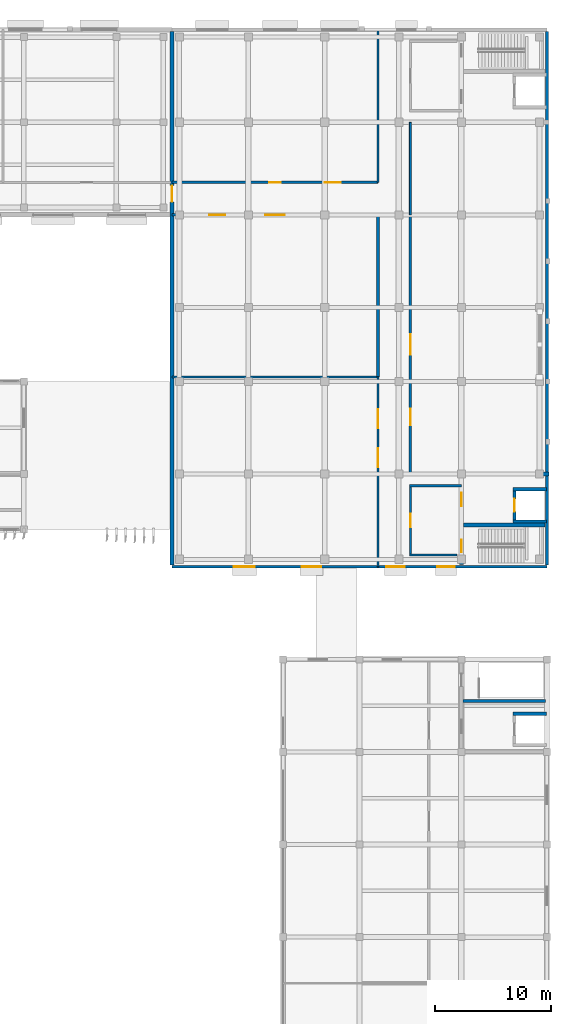
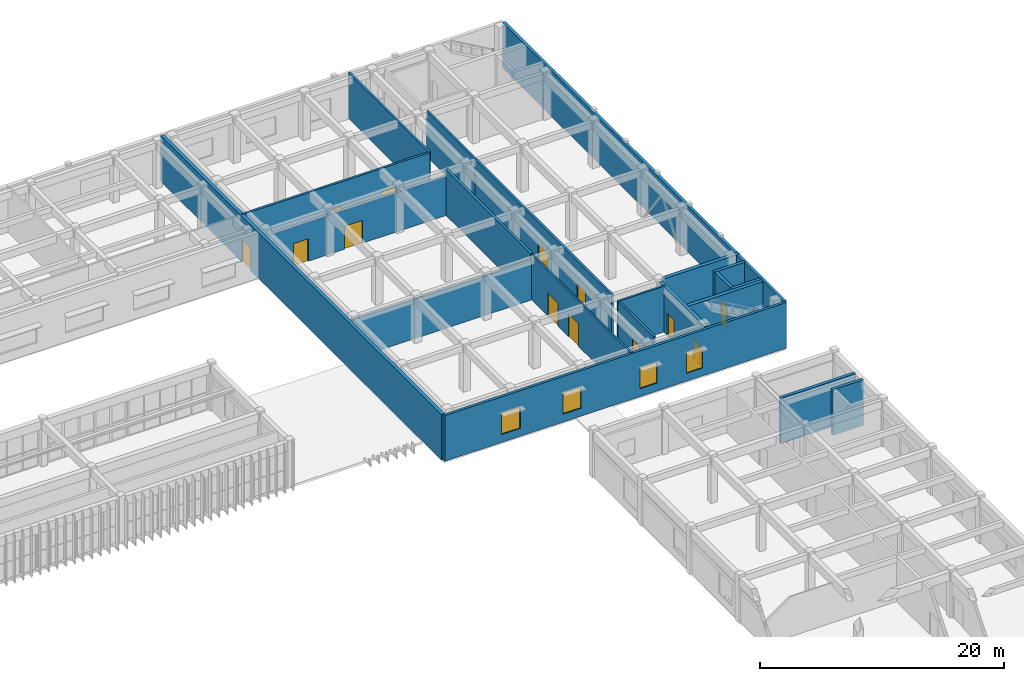
# One storey, part 57 of 76: 22 walls, 13 doors, 4 windows, 17 openings.
"""IFC4 building model written with IfcOpenShell, lengths in metres."""

from ifc_helpers import new_model, si_unit, direction, frame, frame_2d, origin, place, context, subcontext, project, spatial, rectangle, extrude, material, layer, layer_set, type_object, element, fill, save


model = new_model("IFC4")

# Units and contexts
model_context = context("Model", 3, precision=1e-05, world=origin(), true_north=direction((0.0, 1.0)))
body_context = subcontext(model_context, "Body", "Model", "MODEL_VIEW")
ifc_project = project(units=[si_unit("LENGTHUNIT", "METRE"), si_unit("AREAUNIT", "SQUARE_METRE"), si_unit("VOLUMEUNIT", "CUBIC_METRE"), si_unit("PLANEANGLEUNIT", "RADIAN"), si_unit("MASSUNIT", "GRAM", prefix="KILO")], contexts=[model_context])

# Site, building, storey
site_placement = place(None, origin())
site = spatial("IfcSite", under=ifc_project, at=site_placement, CompositionType="ELEMENT")
building_placement = place(site_placement, origin())
building = spatial("IfcBuilding", under=site, at=building_placement, Name="Cinchona Park Media Centre", CompositionType="ELEMENT")
storey_placement = place(building_placement, frame((0.0, 0.0, 15.60009765625)))
storey = spatial("IfcBuildingStorey", under=building, at=storey_placement, Name="L03", CompositionType="ELEMENT", Elevation=15.60009765625)

# Wall, openings, doors
ifc_material_1 = material(Name="Acoustic Double-Stud Gypsum Partition", Category="gypsum")
ifc_layer_1 = layer(ifc_material_1, 0.2099609375)
ifc_layer_set_1 = layer_set([ifc_layer_1], Name="Acoustic Double-Stud Gypsum Partition")
wall_type_1 = type_object("IfcWallType", Name="WALL-W-AC210", PredefinedType="PARTITIONING", material=ifc_layer_set_1)
wall_1_placement = place(storey_placement, frame((139.60009765625, 104.800048828125, 0.0), z_axis=(0.0, 0.0, 1.0), x_axis=(1.0, 0.0, 0.0)))
wall_1 = element("IfcWall", 1, at=wall_1_placement, inside=storey, type_object=wall_type_1, Name="Interior Wall W-AC210 L03", PredefinedType="PARTITIONING", context=body_context, shape_type="SweptSolid", body=[
    extrude(rectangle(XDim=17.7998046875, YDim=0.2099609375, at=frame_2d((8.89990234375, 0.0))), origin(), (0.0, 0.0, 1.0), 4.579833984375),
])
opening_1_placement = place(wall_1_placement, frame((8.389892578125, 0.0, 0.0)))
opening_1 = element("IfcOpeningElement", 2, at=opening_1_placement, cuts=wall_1, Name="Opening D329", PredefinedType="OPENING", context=body_context, shape_type="SweptSolid", body=[
    extrude(rectangle(XDim=1.02001953125, YDim=2.10009765625, at=frame_2d((0.510009765625, 1.050048828125))), frame((0.0, 0.114990234375, 0.0), z_axis=(0.0, -1.0, 0.0), x_axis=(1.0, 0.0, 0.0)), (0.0, 0.0, 1.0), 0.22998046875),
])
opening_2_placement = place(wall_1_placement, frame((13.18408203125, 0.0, 0.0)))
opening_2 = element("IfcOpeningElement", 3, at=opening_2_placement, cuts=wall_1, Name="Opening D330", PredefinedType="OPENING", context=body_context, shape_type="SweptSolid", body=[
    extrude(rectangle(XDim=1.39990234375, YDim=2.25, at=frame_2d((0.699951171875, 1.125))), frame((0.0, 0.114990234375, 0.0), z_axis=(0.0, -1.0, 0.0), x_axis=(1.0, 0.0, 0.0)), (0.0, 0.0, 1.0), 0.22998046875),
])
ifc_material_2 = material(Name="Acoustic Double-Seal Steel Door", Category="steel")
door_type_1 = type_object("IfcDoorType", Name="DOOR-DT-AC", OperationType="NOTDEFINED", PredefinedType="DOOR", material=ifc_material_2)
door_1_placement = place(opening_2_placement, origin())
door_1 = element("IfcDoor", 4, at=door_1_placement, inside=storey, type_object=door_type_1, Name="Interior Door D330", OperationType="SINGLE_SWING_RIGHT", OverallHeight=2.25, OverallWidth=1.39990234375, PredefinedType="DOOR", context=body_context, shape_type="SweptSolid", body=[
    extrude(rectangle(XDim=1.39990234375, YDim=2.25, at=frame_2d((0.699951171875, 1.125))), frame((0.0, 0.02490234375, 0.0), z_axis=(0.0, -1.0, 0.0), x_axis=(1.0, 0.0, 0.0)), (0.0, 0.0, 1.0), 0.050048828125),
])
fill(opening_2, door_1)
ifc_material_3 = material(Name="Solid-Core Timber Acoustic Door", Category="wood")
door_type_2 = type_object("IfcDoorType", Name="DOOR-DT05", OperationType="NOTDEFINED", PredefinedType="DOOR", material=ifc_material_3)
door_2_placement = place(opening_1_placement, origin())
door_2 = element("IfcDoor", 5, at=door_2_placement, inside=storey, type_object=door_type_2, Name="Interior Door D329", OperationType="SINGLE_SWING_LEFT", OverallHeight=2.10009765625, OverallWidth=1.02001953125, PredefinedType="DOOR", context=body_context, shape_type="SweptSolid", body=[
    extrude(rectangle(XDim=1.02001953125, YDim=2.10009765625, at=frame_2d((0.510009765625, 1.050048828125))), frame((0.0, 0.02490234375, 0.0), z_axis=(0.0, -1.0, 0.0), x_axis=(1.0, 0.0, 0.0)), (0.0, 0.0, 1.0), 0.050048828125),
])
fill(opening_1, door_2)

wall_2_placement = place(storey_placement, frame((160.199951171875, 102.0, 0.0), z_axis=(0.0, 0.0, 1.0), x_axis=(0.0, -1.0, 0.0)))
wall_2 = element("IfcWall", 6, at=wall_2_placement, inside=storey, type_object=wall_type_1, Name="Interior Wall W-AC210 L03", PredefinedType="PARTITIONING", context=body_context, shape_type="SweptSolid", body=[
    extrude(rectangle(XDim=22.39990234375, YDim=0.2099609375, at=frame_2d((11.199951171875, 0.0))), origin(), (0.0, 0.0, 1.0), 4.579833984375),
])
opening_3_placement = place(wall_2_placement, frame((10.324951171875, 0.0, 0.0)))
opening_3 = element("IfcOpeningElement", 7, at=opening_3_placement, cuts=wall_2, Name="Opening D331", PredefinedType="OPENING", context=body_context, shape_type="SweptSolid", body=[
    extrude(rectangle(XDim=1.75, YDim=2.35009765625, at=frame_2d((0.875, 1.175048828125))), frame((0.0, 0.114990234375, 0.0), z_axis=(0.0, -1.0, 0.0), x_axis=(1.0, 0.0, 0.0)), (0.0, 0.0, 1.0), 0.22998046875),
])
opening_4_placement = place(wall_2_placement, frame((16.77197265625, 0.0, 0.0)))
opening_4 = element("IfcOpeningElement", 8, at=opening_4_placement, cuts=wall_2, Name="Opening D332", PredefinedType="OPENING", context=body_context, shape_type="SweptSolid", body=[
    extrude(rectangle(XDim=1.39990234375, YDim=2.25, at=frame_2d((0.699951171875, 1.125))), frame((0.0, 0.114990234375, 0.0), z_axis=(0.0, -1.0, 0.0), x_axis=(1.0, 0.0, 0.0)), (0.0, 0.0, 1.0), 0.22998046875),
])
door_3_placement = place(opening_4_placement, origin())
door_3 = element("IfcDoor", 9, at=door_3_placement, inside=storey, type_object=door_type_1, Name="Interior Door D332", OperationType="SINGLE_SWING_RIGHT", OverallHeight=2.25, OverallWidth=1.39990234375, PredefinedType="DOOR", context=body_context, shape_type="SweptSolid", body=[
    extrude(rectangle(XDim=1.39990234375, YDim=2.25, at=frame_2d((0.699951171875, 1.125))), frame((0.0, 0.02490234375, 0.0), z_axis=(0.0, -1.0, 0.0), x_axis=(1.0, 0.0, 0.0)), (0.0, 0.0, 1.0), 0.050048828125),
])
fill(opening_4, door_3)
ifc_material_4 = material(Name="Fire-Rated Acoustic Timber-Steel Door", Category="steel")
door_type_3 = type_object("IfcDoorType", Name="DOOR-DT20", OperationType="NOTDEFINED", PredefinedType="DOOR", material=ifc_material_4)
door_4_placement = place(opening_3_placement, origin())
door_4 = element("IfcDoor", 10, at=door_4_placement, inside=storey, type_object=door_type_3, Name="Interior Door D331", OperationType="SINGLE_SWING_LEFT", OverallHeight=2.35009765625, OverallWidth=1.75, PredefinedType="DOOR", context=body_context, shape_type="SweptSolid", body=[
    extrude(rectangle(XDim=1.75, YDim=2.35009765625, at=frame_2d((0.875, 1.175048828125))), frame((0.0, 0.02490234375, 0.0), z_axis=(0.0, -1.0, 0.0), x_axis=(1.0, 0.0, 0.0)), (0.0, 0.0, 1.0), 0.050048828125),
])
fill(opening_3, door_4)

ifc_material_5 = material(Name="Acoustic Double-Stud Gypsum Partition", Category="gypsum")
ifc_layer_2 = layer(ifc_material_5, 0.239990234375)
ifc_layer_set_2 = layer_set([ifc_layer_2], Name="Acoustic Double-Stud Gypsum Partition")
wall_type_2 = type_object("IfcWallType", Name="WALL-W-AC240", PredefinedType="PARTITIONING", material=ifc_layer_set_2)
wall_3_placement = place(storey_placement, frame((157.39990234375, 102.0, 0.0), z_axis=(0.0, 0.0, 1.0), x_axis=(-1.0, 0.0, 0.0)))
wall_3 = element("IfcWall", 11, at=wall_3_placement, inside=storey, type_object=wall_type_2, Name="Interior Wall W-AC240 L03", PredefinedType="PARTITIONING", context=body_context, shape_type="SweptSolid", body=[
    extrude(rectangle(XDim=17.7998046875, YDim=0.239990234375, at=frame_2d((8.89990234375, 0.0))), origin(), (0.0, 0.0, 1.0), 3.929931640625),
])
opening_5_placement = place(wall_3_placement, frame((8.050048828125, 0.0, 0.0)))
opening_5 = element("IfcOpeningElement", 12, at=opening_5_placement, cuts=wall_3, Name="Opening D327", PredefinedType="OPENING", context=body_context, shape_type="SweptSolid", body=[
    extrude(rectangle(XDim=1.699951171875, YDim=2.300048828125, at=frame_2d((0.85009765625, 1.14990234375))), frame((0.0, 0.1298828125, 0.0), z_axis=(0.0, -1.0, 0.0), x_axis=(1.0, 0.0, 0.0)), (0.0, 0.0, 1.0), 0.260009765625),
])
opening_6_placement = place(wall_3_placement, frame((13.18408203125, 0.0, 0.0)))
opening_6 = element("IfcOpeningElement", 13, at=opening_6_placement, cuts=wall_3, Name="Opening D328", PredefinedType="OPENING", context=body_context, shape_type="SweptSolid", body=[
    extrude(rectangle(XDim=1.39990234375, YDim=2.25, at=frame_2d((0.699951171875, 1.125))), frame((0.0, 0.1298828125, 0.0), z_axis=(0.0, -1.0, 0.0), x_axis=(1.0, 0.0, 0.0)), (0.0, 0.0, 1.0), 0.260009765625),
])
door_5_placement = place(opening_6_placement, origin())
door_5 = element("IfcDoor", 14, at=door_5_placement, inside=storey, type_object=door_type_1, Name="Interior Door D328", OperationType="SINGLE_SWING_RIGHT", OverallHeight=2.25, OverallWidth=1.39990234375, PredefinedType="DOOR", context=body_context, shape_type="SweptSolid", body=[
    extrude(rectangle(XDim=1.39990234375, YDim=2.25, at=frame_2d((0.699951171875, 1.125))), frame((0.0, 0.02490234375, 0.0), z_axis=(0.0, -1.0, 0.0), x_axis=(1.0, 0.0, 0.0)), (0.0, 0.0, 1.0), 0.050048828125),
])
fill(opening_6, door_5)
ifc_material_6 = material(Name="Fire-Rated Acoustic Timber-Steel Door", Category="steel")
door_type_4 = type_object("IfcDoorType", Name="DOOR-DT19", OperationType="NOTDEFINED", PredefinedType="DOOR", material=ifc_material_6)
door_6_placement = place(opening_5_placement, origin())
door_6 = element("IfcDoor", 15, at=door_6_placement, inside=storey, type_object=door_type_4, Name="Interior Door D327", OperationType="SINGLE_SWING_LEFT", OverallHeight=2.300048828125, OverallWidth=1.699951171875, PredefinedType="DOOR", context=body_context, shape_type="SweptSolid", body=[
    extrude(rectangle(XDim=1.699951171875, YDim=2.300048828125, at=frame_2d((0.85009765625, 1.14990234375))), frame((0.0, 0.02490234375, 0.0), z_axis=(0.0, -1.0, 0.0), x_axis=(1.0, 0.0, 0.0)), (0.0, 0.0, 1.0), 0.050048828125),
])
fill(opening_5, door_6)

# Walls
wall_4_placement = place(storey_placement, frame((157.39990234375, 88.0, 0.0), z_axis=(0.0, 0.0, 1.0), x_axis=(0.0, 1.0, 0.0)))
element("IfcWall", 16, at=wall_4_placement, inside=storey, type_object=wall_type_2, Name="Interior Wall W-AC240 L03", PredefinedType="PARTITIONING", context=body_context, shape_type="SweptSolid", body=[
    extrude(rectangle(XDim=14.0, YDim=0.239990234375, at=frame_2d((7.0, 0.0))), origin(), (0.0, 0.0, 1.0), 4.579833984375),
])
ifc_material_7 = material(Name="Concrete C40/50", Category="concrete")
ifc_layer_3 = layer(ifc_material_7, 0.35009765625)
ifc_layer_set_3 = layer_set([ifc_layer_3], Name="Concrete C40/50")
wall_type_3 = type_object("IfcWallType", Name="WALL-W-CR350", PredefinedType="SHEAR", material=ifc_layer_set_3)
wall_5_placement = place(storey_placement, frame((164.951904296875, 79.60009765625, 0.0), z_axis=(0.0, 0.0, 1.0), x_axis=(1.0, 0.0, 0.0)))
element("IfcWall", 17, at=wall_5_placement, inside=storey, type_object=wall_type_3, Name="Core Shear Wall W-CR350 L03", PredefinedType="SHEAR", context=body_context, shape_type="SweptSolid", body=[
    extrude(rectangle(XDim=7.22314453125, YDim=0.35009765625, at=frame_2d((3.611572265625, 0.0))), origin(), (0.0, 0.0, 1.0), 4.579833984375),
])

# Wall, openings, doors
wall_6_placement = place(storey_placement, frame((164.60009765625, 71.77490234375, 0.0), z_axis=(0.0, 0.0, 1.0), x_axis=(0.0, 1.0, 0.0)))
wall_6 = element("IfcWall", 18, at=wall_6_placement, inside=storey, type_object=wall_type_3, Name="Core Shear Wall W-CR350 L03", PredefinedType="SHEAR", context=body_context, shape_type="SweptSolid", body=[
    extrude(rectangle(XDim=7.47314453125, YDim=0.35009765625, at=frame_2d((3.736572265625, 0.0))), origin(), (0.0, 0.0, 1.0), 4.579833984375),
])
opening_7_placement = place(wall_6_placement, frame((1.074951171875, 0.0, 0.0)))
opening_7 = element("IfcOpeningElement", 19, at=opening_7_placement, cuts=wall_6, Name="Opening D090", PredefinedType="OPENING", context=body_context, shape_type="SweptSolid", body=[
    extrude(rectangle(XDim=1.10009765625, YDim=2.14990234375, at=frame_2d((0.550048828125, 1.074951171875))), frame((0.0, 0.18505859375, 0.0), z_axis=(0.0, -1.0, 0.0), x_axis=(1.0, 0.0, 0.0)), (0.0, 0.0, 1.0), 0.3701171875),
])
opening_8_placement = place(wall_6_placement, frame((5.050048828125, 0.0, 0.0)))
opening_8 = element("IfcOpeningElement", 20, at=opening_8_placement, cuts=wall_6, Name="Opening D091", PredefinedType="OPENING", context=body_context, shape_type="SweptSolid", body=[
    extrude(rectangle(XDim=1.14990234375, YDim=2.199951171875, at=frame_2d((0.574951171875, 1.10009765625))), frame((0.0, 0.18505859375, 0.0), z_axis=(0.0, -1.0, 0.0), x_axis=(1.0, 0.0, 0.0)), (0.0, 0.0, 1.0), 0.3701171875),
])
ifc_material_8 = material(Name="Insulated Fire-Rated Steel Door", Category="steel")
door_type_5 = type_object("IfcDoorType", Name="DOOR-DT-FF", OperationType="NOTDEFINED", PredefinedType="DOOR", material=ifc_material_8)
door_7_placement = place(opening_8_placement, origin())
door_7 = element("IfcDoor", 21, at=door_7_placement, inside=storey, type_object=door_type_5, Name="Interior Door D091", OperationType="SINGLE_SWING_LEFT", OverallHeight=2.199951171875, OverallWidth=1.14990234375, PredefinedType="DOOR", context=body_context, shape_type="SweptSolid", body=[
    extrude(rectangle(XDim=1.14990234375, YDim=2.199951171875, at=frame_2d((0.574951171875, 1.10009765625))), frame((0.0, 0.02490234375, 0.0), z_axis=(0.0, -1.0, 0.0), x_axis=(1.0, 0.0, 0.0)), (0.0, 0.0, 1.0), 0.050048828125),
])
fill(opening_8, door_7)
ifc_material_9 = material(Name="Insulated Fire-Rated Steel Door", Category="steel")
door_type_6 = type_object("IfcDoorType", Name="DOOR-DT-ST", OperationType="NOTDEFINED", PredefinedType="DOOR", material=ifc_material_9)
door_8_placement = place(opening_7_placement, origin())
door_8 = element("IfcDoor", 22, at=door_8_placement, inside=storey, type_object=door_type_6, Name="Interior Door D090", OperationType="SINGLE_SWING_RIGHT", OverallHeight=2.14990234375, OverallWidth=1.10009765625, PredefinedType="DOOR", context=body_context, shape_type="SweptSolid", body=[
    extrude(rectangle(XDim=1.10009765625, YDim=2.14990234375, at=frame_2d((0.550048828125, 1.074951171875))), frame((0.0, 0.02490234375, 0.0), z_axis=(0.0, -1.0, 0.0), x_axis=(1.0, 0.0, 0.0)), (0.0, 0.0, 1.0), 0.050048828125),
])
fill(opening_7, door_8)

# Wall
wall_7_placement = place(storey_placement, frame((164.77490234375, 75.199951171875, 0.0), z_axis=(0.0, 0.0, 1.0), x_axis=(1.0, 0.0, 0.0)))
element("IfcWall", 23, at=wall_7_placement, inside=storey, type_object=wall_type_3, Name="Core Shear Wall W-CR350 L03", PredefinedType="SHEAR", context=body_context, shape_type="SweptSolid", body=[
    extrude(rectangle(XDim=7.050048828125, YDim=0.35009765625, at=frame_2d((3.52490234375, 0.0))), origin(), (0.0, 0.0, 1.0), 4.579833984375),
])

# Wall, opening, door
ifc_material_10 = material(Name="Precast concrete C40/50", Category="concrete")
ifc_layer_4 = layer(ifc_material_10, 0.320068359375)
ifc_layer_set_4 = layer_set([ifc_layer_4], Name="Precast concrete C40/50")
wall_type_4 = type_object("IfcWallType", Name="WALL-W-EX02", PredefinedType="SOLIDWALL", material=ifc_layer_set_4)
wall_8_placement = place(storey_placement, frame((139.60009765625, 71.739990234375, 0.0), z_axis=(0.0, 0.0, 1.0), x_axis=(0.0, 1.0, 0.0)))
wall_8 = element("IfcWall", 24, at=wall_8_placement, inside=storey, type_object=wall_type_4, Name="Exterior Wall W-EX02 V7 L03", PredefinedType="SOLIDWALL", context=body_context, shape_type="SweptSolid", body=[
    extrude(rectangle(XDim=46.1201171875, YDim=0.320068359375, at=frame_2d((23.06005859375, 0.0))), origin(), (0.0, 0.0, 1.0), 4.579833984375),
])
opening_9_placement = place(wall_8_placement, frame((31.3798828125, 0.0, 0.0)))
opening_9 = element("IfcOpeningElement", 25, at=opening_9_placement, cuts=wall_8, Name="Opening D134", PredefinedType="OPENING", context=body_context, shape_type="SweptSolid", body=[
    extrude(rectangle(XDim=1.39990234375, YDim=2.25, at=frame_2d((0.699951171875, 1.125))), frame((0.0, 0.169921875, 0.0), z_axis=(0.0, -1.0, 0.0), x_axis=(1.0, 0.0, 0.0)), (0.0, 0.0, 1.0), 0.340087890625),
])
door_9_placement = place(opening_9_placement, origin())
door_9 = element("IfcDoor", 26, at=door_9_placement, inside=storey, type_object=door_type_1, Name="Interior Door D134", OperationType="SINGLE_SWING_RIGHT", OverallHeight=2.25, OverallWidth=1.39990234375, PredefinedType="DOOR", context=body_context, shape_type="SweptSolid", body=[
    extrude(rectangle(XDim=1.39990234375, YDim=2.25, at=frame_2d((0.699951171875, 1.125))), frame((0.0, 0.02490234375, 0.0), z_axis=(0.0, -1.0, 0.0), x_axis=(1.0, 0.0, 0.0)), (0.0, 0.0, 1.0), 0.050048828125),
])
fill(opening_9, door_9)

# Wall
ifc_material_11 = material(Name="Precast concrete C40/50", Category="concrete")
ifc_layer_5 = layer(ifc_material_11, 0.27490234375)
ifc_layer_set_5 = layer_set([ifc_layer_5], Name="Precast concrete C40/50")
wall_type_5 = type_object("IfcWallType", Name="WALL-W-EX03", PredefinedType="SOLIDWALL", material=ifc_layer_set_5)
wall_9_placement = place(storey_placement, frame((172.0, 117.860107421875, 0.0), z_axis=(0.0, 0.0, 1.0), x_axis=(0.0, -1.0, 0.0)))
element("IfcWall", 27, at=wall_9_placement, inside=storey, type_object=wall_type_5, Name="Exterior Wall W-EX03 V7 L03", PredefinedType="SOLIDWALL", context=body_context, shape_type="SweptSolid", body=[
    extrude(rectangle(XDim=46.1201171875, YDim=0.27490234375, at=frame_2d((23.06005859375, 0.0))), origin(), (0.0, 0.0, 1.0), 4.579833984375),
])

# Wall, openings, windows
ifc_material_12 = material(Name="Precast concrete C40/50", Category="concrete")
ifc_layer_6 = layer(ifc_material_12, 0.25)
ifc_layer_set_6 = layer_set([ifc_layer_6], Name="Precast concrete C40/50")
wall_type_6 = type_object("IfcWallType", Name="WALL-W-EX04", PredefinedType="SOLIDWALL", material=ifc_layer_set_6)
wall_10_placement = place(storey_placement, frame((172.0, 71.60009765625, 0.0), z_axis=(0.0, 0.0, 1.0), x_axis=(-1.0, 0.0, 0.0)))
wall_10 = element("IfcWall", 28, at=wall_10_placement, inside=storey, type_object=wall_type_6, Name="Exterior Wall W-EX04 V7 L03", PredefinedType="SOLIDWALL", context=body_context, shape_type="SweptSolid", body=[
    extrude(rectangle(XDim=32.39990234375, YDim=0.25, at=frame_2d((16.199951171875, 0.0))), origin(), (0.0, 0.0, 1.0), 4.579833984375),
])
opening_10_placement = place(wall_10_placement, frame((7.9599609375, 0.0, 0.800048828125)))
opening_10 = element("IfcOpeningElement", 29, at=opening_10_placement, cuts=wall_10, Name="Opening WN02", PredefinedType="OPENING", context=body_context, shape_type="SweptSolid", body=[
    extrude(rectangle(XDim=1.5, YDim=2.10009765625, at=frame_2d((0.75, 1.050048828125))), frame((0.0, 0.135009765625, 0.0), z_axis=(0.0, -1.0, 0.0), x_axis=(1.0, 0.0, 0.0)), (0.0, 0.0, 1.0), 0.27001953125),
])
opening_11_placement = place(wall_10_placement, frame((12.27001953125, 0.0, 0.800048828125)))
opening_11 = element("IfcOpeningElement", 30, at=opening_11_placement, cuts=wall_10, Name="Opening WN03", PredefinedType="OPENING", context=body_context, shape_type="SweptSolid", body=[
    extrude(rectangle(XDim=1.60009765625, YDim=2.10009765625, at=frame_2d((0.800048828125, 1.050048828125))), frame((0.0, 0.135009765625, 0.0), z_axis=(0.0, -1.0, 0.0), x_axis=(1.0, 0.0, 0.0)), (0.0, 0.0, 1.0), 0.27001953125),
])
opening_12_placement = place(wall_10_placement, frame((19.47998046875, 0.0, 0.800048828125)))
opening_12 = element("IfcOpeningElement", 31, at=opening_12_placement, cuts=wall_10, Name="Opening WN04", PredefinedType="OPENING", context=body_context, shape_type="SweptSolid", body=[
    extrude(rectangle(XDim=1.699951171875, YDim=2.14990234375, at=frame_2d((0.85009765625, 1.074951171875))), frame((0.0, 0.135009765625, 0.0), z_axis=(0.0, -1.0, 0.0), x_axis=(1.0, 0.0, 0.0)), (0.0, 0.0, 1.0), 0.27001953125),
])
opening_13_placement = place(wall_10_placement, frame((25.239990234375, 0.0, 0.800048828125)))
opening_13 = element("IfcOpeningElement", 32, at=opening_13_placement, cuts=wall_10, Name="Opening WN05", PredefinedType="OPENING", context=body_context, shape_type="SweptSolid", body=[
    extrude(rectangle(XDim=1.800048828125, YDim=2.14990234375, at=frame_2d((0.89990234375, 1.074951171875))), frame((0.0, 0.135009765625, 0.0), z_axis=(0.0, -1.0, 0.0), x_axis=(1.0, 0.0, 0.0)), (0.0, 0.0, 1.0), 0.27001953125),
])
ifc_material_13 = material(Name="Thermally Broken Aluminium Solar-Control Window", Category="aluminium")
window_type_1 = type_object("IfcWindowType", Name="WIN-WN02", PartitioningType="SINGLE_PANEL", PredefinedType="WINDOW", material=ifc_material_13)
window_1_placement = place(opening_10_placement, origin())
window_1 = element("IfcWindow", 33, at=window_1_placement, inside=storey, type_object=window_type_1, Name="Window WN02 L03", OverallHeight=2.10009765625, OverallWidth=1.5, PartitioningType="SINGLE_PANEL", PredefinedType="WINDOW", context=body_context, shape_type="SweptSolid", body=[
    extrude(rectangle(XDim=1.5, YDim=2.10009765625, at=frame_2d((0.75, 1.050048828125))), frame((0.0, 0.030029296875, 0.0), z_axis=(0.0, -1.0, 0.0), x_axis=(1.0, 0.0, 0.0)), (0.0, 0.0, 1.0), 0.06005859375),
])
fill(opening_10, window_1)
ifc_material_14 = material(Name="Thermally Broken Aluminium Solar-Control Window", Category="aluminium")
window_type_2 = type_object("IfcWindowType", Name="WIN-WN03", PartitioningType="SINGLE_PANEL", PredefinedType="WINDOW", material=ifc_material_14)
window_2_placement = place(opening_11_placement, origin())
window_2 = element("IfcWindow", 34, at=window_2_placement, inside=storey, type_object=window_type_2, Name="Window WN03 L03", OverallHeight=2.10009765625, OverallWidth=1.60009765625, PartitioningType="SINGLE_PANEL", PredefinedType="WINDOW", context=body_context, shape_type="SweptSolid", body=[
    extrude(rectangle(XDim=1.60009765625, YDim=2.10009765625, at=frame_2d((0.800048828125, 1.050048828125))), frame((0.0, 0.030029296875, 0.0), z_axis=(0.0, -1.0, 0.0), x_axis=(1.0, 0.0, 0.0)), (0.0, 0.0, 1.0), 0.06005859375),
])
fill(opening_11, window_2)
ifc_material_15 = material(Name="Thermally Broken Aluminium Solar-Control Window", Category="aluminium")
window_type_3 = type_object("IfcWindowType", Name="WIN-WN04", PartitioningType="SINGLE_PANEL", PredefinedType="WINDOW", material=ifc_material_15)
window_3_placement = place(opening_12_placement, origin())
window_3 = element("IfcWindow", 35, at=window_3_placement, inside=storey, type_object=window_type_3, Name="Window WN04 L03", OverallHeight=2.14990234375, OverallWidth=1.699951171875, PartitioningType="SINGLE_PANEL", PredefinedType="WINDOW", context=body_context, shape_type="SweptSolid", body=[
    extrude(rectangle(XDim=1.699951171875, YDim=2.14990234375, at=frame_2d((0.85009765625, 1.074951171875))), frame((0.0, 0.030029296875, 0.0), z_axis=(0.0, -1.0, 0.0), x_axis=(1.0, 0.0, 0.0)), (0.0, 0.0, 1.0), 0.06005859375),
])
fill(opening_12, window_3)
ifc_material_16 = material(Name="Thermally Broken Aluminium Solar-Control Window", Category="aluminium")
window_type_4 = type_object("IfcWindowType", Name="WIN-WN05", PartitioningType="SINGLE_PANEL", PredefinedType="WINDOW", material=ifc_material_16)
window_4_placement = place(opening_13_placement, origin())
window_4 = element("IfcWindow", 36, at=window_4_placement, inside=storey, type_object=window_type_4, Name="Window WN05 L03", OverallHeight=2.14990234375, OverallWidth=1.800048828125, PartitioningType="SINGLE_PANEL", PredefinedType="WINDOW", context=body_context, shape_type="SweptSolid", body=[
    extrude(rectangle(XDim=1.800048828125, YDim=2.14990234375, at=frame_2d((0.89990234375, 1.074951171875))), frame((0.0, 0.030029296875, 0.0), z_axis=(0.0, -1.0, 0.0), x_axis=(1.0, 0.0, 0.0)), (0.0, 0.0, 1.0), 0.06005859375),
])
fill(opening_13, window_4)

# Wall, openings, doors
ifc_material_17 = material(Name="Fire-Rated Gypsum Stud Partition", Category="gypsum")
ifc_layer_7 = layer(ifc_material_17, 0.14990234375)
ifc_layer_set_7 = layer_set([ifc_layer_7], Name="Fire-Rated Gypsum Stud Partition")
wall_type_7 = type_object("IfcWallType", Name="WALL-W-PT150", PredefinedType="PARTITIONING", material=ifc_layer_set_7)
wall_11_placement = place(storey_placement, frame((157.39990234375, 71.60009765625, 0.0), z_axis=(0.0, 0.0, 1.0), x_axis=(0.0, 1.0, 0.0)))
wall_11 = element("IfcWall", 37, at=wall_11_placement, inside=storey, type_object=wall_type_7, Name="Interior Wall W-PT150 L03", PredefinedType="PARTITIONING", context=body_context, shape_type="SweptSolid", body=[
    extrude(rectangle(XDim=16.39990234375, YDim=0.14990234375, at=frame_2d((8.199951171875, 0.0))), origin(), (0.0, 0.0, 1.0), 4.579833984375),
])
opening_14_placement = place(wall_11_placement, frame((8.580078125, 0.0, 0.0)))
opening_14 = element("IfcOpeningElement", 38, at=opening_14_placement, cuts=wall_11, Name="Opening D325", PredefinedType="OPENING", context=body_context, shape_type="SweptSolid", body=[
    extrude(rectangle(XDim=1.64990234375, YDim=2.300048828125, at=frame_2d((0.824951171875, 1.14990234375))), frame((0.0, 0.0849609375, 0.0), z_axis=(0.0, -1.0, 0.0), x_axis=(1.0, 0.0, 0.0)), (0.0, 0.0, 1.0), 0.169921875),
])
opening_15_placement = place(wall_11_placement, frame((11.967041015625, 0.0, 0.0)))
opening_15 = element("IfcOpeningElement", 39, at=opening_15_placement, cuts=wall_11, Name="Opening D326", PredefinedType="OPENING", context=body_context, shape_type="SweptSolid", body=[
    extrude(rectangle(XDim=1.64990234375, YDim=2.300048828125, at=frame_2d((0.824951171875, 1.14990234375))), frame((0.0, 0.0849609375, 0.0), z_axis=(0.0, -1.0, 0.0), x_axis=(1.0, 0.0, 0.0)), (0.0, 0.0, 1.0), 0.169921875),
])
ifc_material_18 = material(Name="Fire-Rated Acoustic Timber-Steel Door", Category="steel")
door_type_7 = type_object("IfcDoorType", Name="DOOR-DT18", OperationType="NOTDEFINED", PredefinedType="DOOR", material=ifc_material_18)
door_10_placement = place(opening_14_placement, origin())
door_10 = element("IfcDoor", 40, at=door_10_placement, inside=storey, type_object=door_type_7, Name="Interior Door D325", OperationType="SINGLE_SWING_LEFT", OverallHeight=2.300048828125, OverallWidth=1.64990234375, PredefinedType="DOOR", context=body_context, shape_type="SweptSolid", body=[
    extrude(rectangle(XDim=1.64990234375, YDim=2.300048828125, at=frame_2d((0.824951171875, 1.14990234375))), frame((0.0, 0.02490234375, 0.0), z_axis=(0.0, -1.0, 0.0), x_axis=(1.0, 0.0, 0.0)), (0.0, 0.0, 1.0), 0.050048828125),
])
fill(opening_14, door_10)
door_11_placement = place(opening_15_placement, origin())
door_11 = element("IfcDoor", 41, at=door_11_placement, inside=storey, type_object=door_type_7, Name="Interior Door D326", OperationType="SINGLE_SWING_RIGHT", OverallHeight=2.300048828125, OverallWidth=1.64990234375, PredefinedType="DOOR", context=body_context, shape_type="SweptSolid", body=[
    extrude(rectangle(XDim=1.64990234375, YDim=2.300048828125, at=frame_2d((0.824951171875, 1.14990234375))), frame((0.0, 0.02490234375, 0.0), z_axis=(0.0, -1.0, 0.0), x_axis=(1.0, 0.0, 0.0)), (0.0, 0.0, 1.0), 0.050048828125),
])
fill(opening_15, door_11)

# Walls
ifc_material_19 = material(Name="Fire-Rated Gypsum Stud Partition", Category="gypsum")
ifc_layer_8 = layer(ifc_material_19, 0.1650390625)
ifc_layer_set_8 = layer_set([ifc_layer_8], Name="Fire-Rated Gypsum Stud Partition")
wall_type_8 = type_object("IfcWallType", Name="WALL-W-PT165", PredefinedType="PARTITIONING", material=ifc_layer_set_8)
wall_12_placement = place(storey_placement, frame((160.199951171875, 110.0, 0.0), z_axis=(0.0, 0.0, 1.0), x_axis=(0.0, -1.0, 0.0)))
element("IfcWall", 42, at=wall_12_placement, inside=storey, type_object=wall_type_8, Name="Interior Wall W-PT165 L03", PredefinedType="PARTITIONING", context=body_context, shape_type="SweptSolid", body=[
    extrude(rectangle(XDim=8.0, YDim=0.1650390625, at=frame_2d((4.0, 0.0))), origin(), (0.0, 0.0, 1.0), 4.579833984375),
])
ifc_material_20 = material(Name="Fire-Rated Gypsum Stud Partition", Category="gypsum")
ifc_layer_9 = layer(ifc_material_20, 0.18994140625)
ifc_layer_set_9 = layer_set([ifc_layer_9], Name="Fire-Rated Gypsum Stud Partition")
wall_type_9 = type_object("IfcWallType", Name="WALL-W-PT190", PredefinedType="PARTITIONING", material=ifc_layer_set_9)
wall_13_placement = place(storey_placement, frame((160.10498046875, 72.60009765625, 0.0), z_axis=(0.0, 0.0, 1.0), x_axis=(1.0, 0.0, 0.0)))
element("IfcWall", 43, at=wall_13_placement, inside=storey, type_object=wall_type_9, Name="Interior Wall W-PT190 L03", PredefinedType="PARTITIONING", context=body_context, shape_type="SweptSolid", body=[
    extrude(rectangle(XDim=4.14306640625, YDim=0.18994140625, at=frame_2d((2.071533203125, 0.0))), origin(), (0.0, 0.0, 1.0), 3.929931640625),
])
wall_14_placement = place(storey_placement, frame((160.10498046875, 78.60009765625, 0.0), z_axis=(0.0, 0.0, 1.0), x_axis=(1.0, 0.0, 0.0)))
element("IfcWall", 44, at=wall_14_placement, inside=storey, type_object=wall_type_9, Name="Interior Wall W-PT190 L03", PredefinedType="PARTITIONING", context=body_context, shape_type="SweptSolid", body=[
    extrude(rectangle(XDim=4.4951171875, YDim=0.18994140625, at=frame_2d((2.24755859375, 0.0))), origin(), (0.0, 0.0, 1.0), 4.579833984375),
])

# Wall, opening, door
wall_15_placement = place(storey_placement, frame((160.199951171875, 72.695068359375, 0.0), z_axis=(0.0, 0.0, 1.0), x_axis=(0.0, 1.0, 0.0)))
wall_15 = element("IfcWall", 45, at=wall_15_placement, inside=storey, type_object=wall_type_9, Name="Interior Wall W-PT190 L03", PredefinedType="PARTITIONING", context=body_context, shape_type="SweptSolid", body=[
    extrude(rectangle(XDim=5.809814453125, YDim=0.18994140625, at=frame_2d((2.90478515625, 0.0))), origin(), (0.0, 0.0, 1.0), 4.579833984375),
])
opening_16_placement = place(wall_15_placement, frame((2.330078125, 0.0, 0.0)))
opening_16 = element("IfcOpeningElement", 46, at=opening_16_placement, cuts=wall_15, Name="Opening D092", PredefinedType="OPENING", context=body_context, shape_type="SweptSolid", body=[
    extrude(rectangle(XDim=1.14990234375, YDim=2.199951171875, at=frame_2d((0.574951171875, 1.10009765625))), frame((0.0, 0.10498046875, 0.0), z_axis=(0.0, -1.0, 0.0), x_axis=(1.0, 0.0, 0.0)), (0.0, 0.0, 1.0), 0.2099609375),
])
door_12_placement = place(opening_16_placement, origin())
door_12 = element("IfcDoor", 47, at=door_12_placement, inside=storey, type_object=door_type_5, Name="Interior Door D092", OperationType="SINGLE_SWING_RIGHT", OverallHeight=2.199951171875, OverallWidth=1.14990234375, PredefinedType="DOOR", context=body_context, shape_type="SweptSolid", body=[
    extrude(rectangle(XDim=1.14990234375, YDim=2.199951171875, at=frame_2d((0.574951171875, 1.10009765625))), frame((0.0, 0.02490234375, 0.0), z_axis=(0.0, -1.0, 0.0), x_axis=(1.0, 0.0, 0.0)), (0.0, 0.0, 1.0), 0.050048828125),
])
fill(opening_16, door_12)

# Walls
wall_16_placement = place(storey_placement, frame((157.39990234375, 104.800048828125, 0.0), z_axis=(0.0, 0.0, 1.0), x_axis=(0.0, 1.0, 0.0)))
element("IfcWall", 48, at=wall_16_placement, inside=storey, type_object=wall_type_9, Name="Interior Wall W-PT190 L03", PredefinedType="PARTITIONING", context=body_context, shape_type="SweptSolid", body=[
    extrude(rectangle(XDim=13.199951171875, YDim=0.18994140625, at=frame_2d((6.60009765625, 0.0))), origin(), (0.0, 0.0, 1.0), 4.579833984375),
])
wall_17_placement = place(storey_placement, frame((139.60009765625, 88.0, 0.0), z_axis=(0.0, 0.0, 1.0), x_axis=(1.0, 0.0, 0.0)))
element("IfcWall", 49, at=wall_17_placement, inside=storey, type_object=wall_type_9, Name="Interior Wall W-PT190 L03", PredefinedType="PARTITIONING", context=body_context, shape_type="SweptSolid", body=[
    extrude(rectangle(XDim=17.7998046875, YDim=0.18994140625, at=frame_2d((8.89990234375, 0.0))), origin(), (0.0, 0.0, 1.0), 3.929931640625),
])
ifc_material_21 = material(Name="Concrete C40/50", Category="concrete")
ifc_layer_10 = layer(ifc_material_21, 0.2900390625)
ifc_layer_set_10 = layer_set([ifc_layer_10], Name="Concrete C40/50")
wall_type_10 = type_object("IfcWallType", Name="WALL-W-SH290", PredefinedType="SHEAR", material=ifc_layer_set_10)
for number, where, z_axis, x_axis, name in (
    (50, (169.054931640625, 75.5, 0.0), (0.0, 0.0, 1.0), (1.0, 0.0, 0.0), "Core Shear Wall W-SH290 L03"),
    (51, (169.054931640625, 78.300048828125, 0.0), (0.0, 0.0, 1.0), (1.0, 0.0, 0.0), "Core Shear Wall W-SH290 L03"),
):
    element("IfcWall", number, at=place(storey_placement, frame(where, z_axis=z_axis, x_axis=x_axis)), inside=storey, type_object=wall_type_10, Name=name, PredefinedType="SHEAR", context=body_context, shape_type="SweptSolid", body=[
        extrude(rectangle(XDim=2.89013671875, YDim=0.2900390625, at=frame_2d((1.445068359375, 0.0))), origin(), (0.0, 0.0, 1.0), 4.579833984375),
    ])

# Wall, opening, door
wall_18_placement = place(storey_placement, frame((169.199951171875, 75.64501953125, 0.0), z_axis=(0.0, 0.0, 1.0), x_axis=(0.0, 1.0, 0.0)))
wall_18 = element("IfcWall", 52, at=wall_18_placement, inside=storey, type_object=wall_type_10, Name="Core Shear Wall W-SH290 L03", PredefinedType="SHEAR", context=body_context, shape_type="SweptSolid", body=[
    extrude(rectangle(XDim=2.510009765625, YDim=0.2900390625, at=frame_2d((1.2548828125, 0.0))), origin(), (0.0, 0.0, 1.0), 4.579833984375),
])
opening_17_placement = place(wall_18_placement, frame((0.705078125, 0.0, 0.0)))
opening_17 = element("IfcOpeningElement", 53, at=opening_17_placement, cuts=wall_18, Name="Opening LD29", PredefinedType="OPENING", context=body_context, shape_type="SweptSolid", body=[
    extrude(rectangle(XDim=1.10009765625, YDim=2.14990234375, at=frame_2d((0.550048828125, 1.074951171875))), frame((0.0, 0.155029296875, 0.0), z_axis=(0.0, -1.0, 0.0), x_axis=(1.0, 0.0, 0.0)), (0.0, 0.0, 1.0), 0.31005859375),
])
ifc_material_22 = material(Name="Stainless Steel Sliding Lift Landing Door", Category="steel")
door_type_8 = type_object("IfcDoorType", Name="DOOR-DT-LD1", OperationType="NOTDEFINED", PredefinedType="DOOR", material=ifc_material_22)
door_13_placement = place(opening_17_placement, origin())
door_13 = element("IfcDoor", 54, at=door_13_placement, inside=storey, type_object=door_type_8, Name="Lift Landing Door LD29", OperationType="SLIDING_TO_LEFT", OverallHeight=2.14990234375, OverallWidth=1.10009765625, PredefinedType="DOOR", context=body_context, shape_type="SweptSolid", body=[
    extrude(rectangle(XDim=1.10009765625, YDim=2.14990234375, at=frame_2d((0.550048828125, 1.074951171875))), frame((0.0, 0.02490234375, 0.0), z_axis=(0.0, -1.0, 0.0), x_axis=(1.0, 0.0, 0.0)), (0.0, 0.0, 1.0), 0.050048828125),
])
fill(opening_17, door_13)

# Walls
wall_19_placement = place(storey_placement, frame((164.7451171875, 60.0, 0.0), z_axis=(0.0, 0.0, 1.0), x_axis=(1.0, 0.0, 0.0)))
element("IfcWall", 55, at=wall_19_placement, inside=storey, type_object=wall_type_10, Name="Core Shear Wall W-SH290 L03", PredefinedType="SHEAR", context=body_context, shape_type="SweptSolid", body=[
    extrude(rectangle(XDim=7.10986328125, YDim=0.2900390625, at=frame_2d((3.554931640625, 0.0))), origin(), (0.0, 0.0, 1.0), 4.554931640625),
])
wall_20_placement = place(storey_placement, frame((169.054931640625, 58.89990234375, 0.0), z_axis=(0.0, 0.0, 1.0), x_axis=(1.0, 0.0, 0.0)))
element("IfcWall", 56, at=wall_20_placement, inside=storey, type_object=wall_type_10, Name="Core Shear Wall W-SH290 L03", PredefinedType="SHEAR", context=body_context, shape_type="SweptSolid", body=[
    extrude(rectangle(XDim=2.89013671875, YDim=0.2900390625, at=frame_2d((1.445068359375, 0.0))), origin(), (0.0, 0.0, 1.0), 4.554931640625),
])

save(model, "model.ifc")
